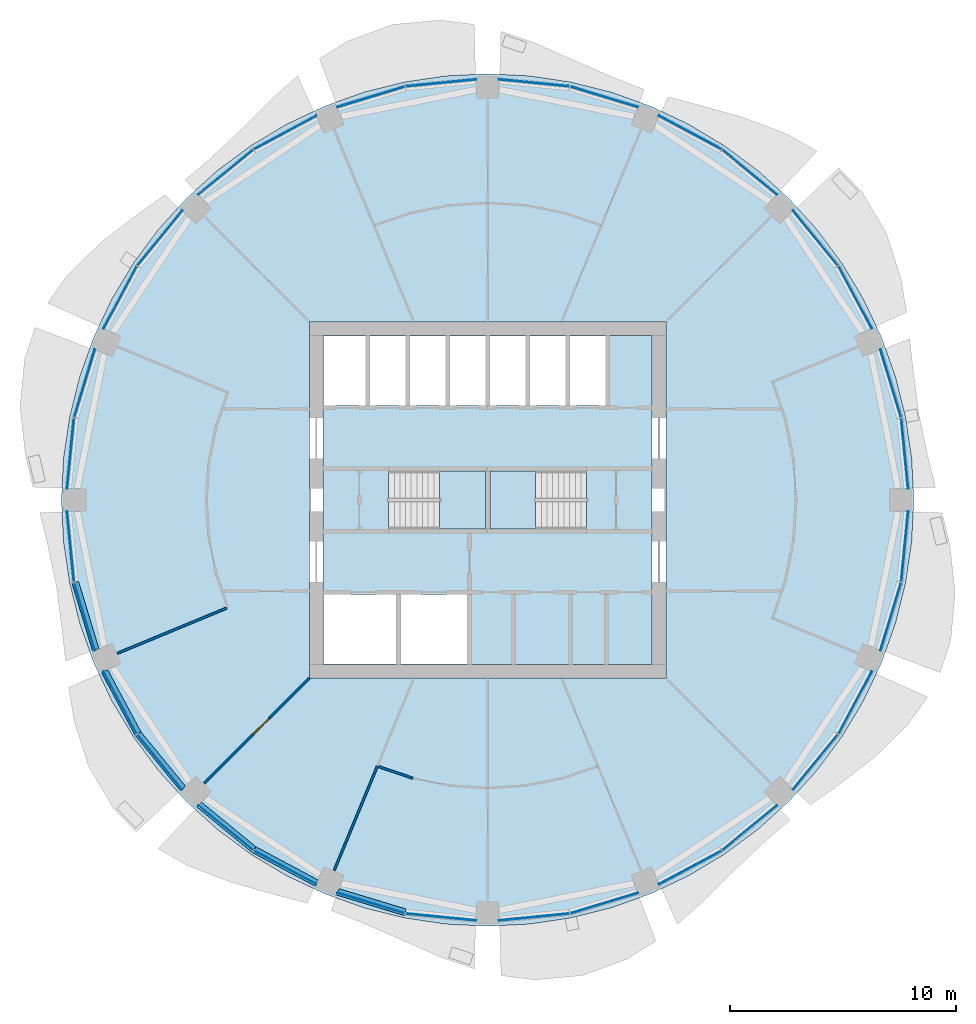
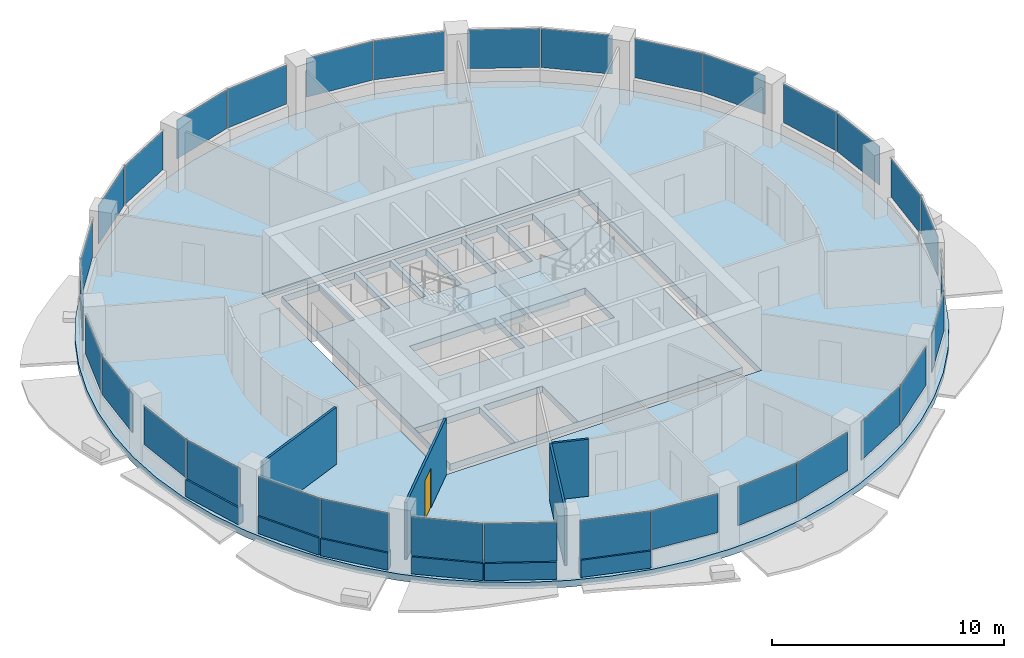
# One storey, part 7 of 15: 32 plates, 10 walls, 4 slabs, 1 door, 1 opening, 18 elements without a shape of their own.
"""IFC4 building model written with IfcOpenShell, lengths in metres."""

from ifc_helpers import new_model, si_unit, direction, frame, frame_2d, origin, origin_2d, place, context, subcontext, project, spatial, polyline, rectangle, outline, extrude, material, layer, layer_set, type_object, element, fill, aggregate, save


model = new_model("IFC4")

# Units and contexts
model_context = context("Model", 3, precision=1e-05, world=origin(), true_north=direction((0.0, 1.0)))
body_context = subcontext(model_context, "Body", "Model", "MODEL_VIEW")
ifc_project = project(units=[si_unit("LENGTHUNIT", "METRE"), si_unit("AREAUNIT", "SQUARE_METRE"), si_unit("VOLUMEUNIT", "CUBIC_METRE"), si_unit("PLANEANGLEUNIT", "RADIAN"), si_unit("MASSUNIT", "GRAM", prefix="KILO")], contexts=[model_context])

# Site, building, storey
site_placement = place(None, origin())
site = spatial("IfcSite", under=ifc_project, at=site_placement, CompositionType="ELEMENT")
building_placement = place(site_placement, origin())
building = spatial("IfcBuilding", under=site, at=building_placement, Name="Polderwave Tower", CompositionType="ELEMENT")
storey_placement = place(building_placement, frame((0.0, 0.0, 154.449951171875)))
storey = spatial("IfcBuildingStorey", under=building, at=storey_placement, Name="L41", CompositionType="ELEMENT", Elevation=154.449951171875)

# Slab
ifc_material_1 = material(Name="Concrete C40/50", Category="concrete")
ifc_layer_1 = layer(ifc_material_1, 0.35009765625)
ifc_layer_set_1 = layer_set([ifc_layer_1], Name="Core floor slab 350")
slab_type_1 = type_object("IfcSlabType", Name="Core floor slab 350", PredefinedType="FLOOR", material=ifc_layer_set_1)
slab_1_placement = place(storey_placement, frame((0.0, 0.0, -0.349853515625)))
element("IfcSlab", 1, at=slab_1_placement, inside=storey, type_object=slab_type_1, Name="L41 core floor", PredefinedType="FLOOR", context=body_context, shape_type="SweptSolid", body=[
    extrude(outline(polyline([(-7.27392578125, -7.27392578125), (7.27392578125, -7.27392578125), (7.27392578125, 7.27392578125), (-7.27392578125, 7.27392578125), (-7.27392578125, -7.27392578125)]), holes=[polyline([(-7.25390625, -7.25390625), (-4.037109375, -7.25390625), (-4.037109375, -4.174072265625), (-7.25390625, -4.174072265625), (-7.25390625, -7.25390625)]), polyline([(-3.8369140625, -7.25390625), (-0.89990234375, -7.25390625), (-0.89990234375, -4.174072265625), (-3.8369140625, -4.174072265625), (-3.8369140625, -7.25390625)]), polyline([(-7.25390625, 4.174072265625), (-5.405517578125, 4.174072265625), (-5.405517578125, 7.25390625), (-7.25390625, 7.25390625), (-7.25390625, 4.174072265625)]), polyline([(-5.20556640625, 4.174072265625), (-3.636962890625, 4.174072265625), (-3.636962890625, 7.25390625), (-5.20556640625, 7.25390625), (-5.20556640625, 4.174072265625)]), polyline([(-3.43701171875, 4.174072265625), (-1.868408203125, 4.174072265625), (-1.868408203125, 7.25390625), (-3.43701171875, 7.25390625), (-3.43701171875, 4.174072265625)]), polyline([(-1.66845703125, 4.174072265625), (-0.10009765625, 4.174072265625), (-0.10009765625, 7.25390625), (-1.66845703125, 7.25390625), (-1.66845703125, 4.174072265625)]), polyline([(0.10009765625, 4.174072265625), (1.66845703125, 4.174072265625), (1.66845703125, 7.25390625), (0.10009765625, 7.25390625), (0.10009765625, 4.174072265625)]), polyline([(1.868408203125, 4.174072265625), (3.43701171875, 4.174072265625), (3.43701171875, 7.25390625), (1.868408203125, 7.25390625), (1.868408203125, 4.174072265625)]), polyline([(3.636962890625, 4.174072265625), (5.20556640625, 4.174072265625), (5.20556640625, 7.25390625), (3.636962890625, 7.25390625), (3.636962890625, 4.174072265625)]), polyline([(-4.37353515625, -1.2744140625), (-0.1005859375, -1.2744140625), (-0.1005859375, 1.2744140625), (-4.37353515625, 1.2744140625), (-4.37353515625, -1.2744140625)]), polyline([(0.1005859375, -1.2744140625), (4.37353515625, -1.2744140625), (4.37353515625, 1.2744140625), (0.1005859375, 1.2744140625), (0.1005859375, -1.2744140625)])]), origin(), (0.0, 0.0, 1.0), 0.349853515625),
])

# Curtain wall, plates
ifc_material_2 = material(Name="Aluminium 6063-T6 and glass", Category="aluminium")
curtain_wall_type = type_object("IfcCurtainWallType", Name="Office ribbon glazing wall", PredefinedType="NOTDEFINED", material=ifc_material_2)
curtain_wall_1_placement = place(storey_placement, origin())
curtain_wall_1 = element("IfcCurtainWall", 2, at=curtain_wall_1_placement, inside=storey, type_object=curtain_wall_type, Name="CW3 L41 00", PredefinedType="NOTDEFINED")
ifc_material_3 = material(Name="Glass, low-e laminated double glazing", Category="glass")
ifc_layer_2 = layer(ifc_material_3, 0.031982421875)
ifc_layer_set_2 = layer_set([ifc_layer_2], Name="Office ribbon glazing glass panel 32 mm")
plate_type = type_object("IfcPlateType", Name="Office ribbon glazing glass panel 32 mm", PredefinedType="CURTAIN_PANEL", material=ifc_layer_set_2)
plate_1_placement = place(storey_placement, frame((18.427734375, 2.0537109375, 0.900146484375), z_axis=(0.0, 0.0, 1.0), x_axis=(-0.098090090917, 0.995177538967, 0.0)))
plate_1 = element("IfcPlate", 3, at=plate_1_placement, type_object=plate_type, Name="CW3 panel 1", PredefinedType="CURTAIN_PANEL", context=body_context, shape_type="SweptSolid", body=[
    extrude(rectangle(XDim=3.122802734375, YDim=0.031982421875, at=origin_2d()), origin(), (0.0, 0.0, 1.0), 2.0400390625),
])
plate_2_placement = place(storey_placement, frame((17.81103515625, 5.1552734375, 0.900146484375), z_axis=(0.0, 0.0, 1.0), x_axis=(-0.290201167351, 0.956965664205, 0.0)))
plate_2 = element("IfcPlate", 4, at=plate_2_placement, type_object=plate_type, Name="CW3 panel 2", PredefinedType="CURTAIN_PANEL", context=body_context, shape_type="SweptSolid", body=[
    extrude(rectangle(XDim=3.1220703125, YDim=0.031982421875, at=origin_2d()), origin(), (0.0, 0.0, 1.0), 2.0400390625),
])
aggregate(curtain_wall_1, [plate_1, plate_2])

curtain_wall_2_placement = place(storey_placement, origin())
curtain_wall_2 = element("IfcCurtainWall", 5, at=curtain_wall_2_placement, inside=storey, type_object=curtain_wall_type, Name="CW3 L41 01", PredefinedType="NOTDEFINED")
plate_3_placement = place(storey_placement, frame((16.239013671875, 8.948974609375, 0.900146484375), z_axis=(0.0, 0.0, 1.0), x_axis=(-0.471429060612, 0.881903986163, 0.0)))
plate_3 = element("IfcPlate", 6, at=plate_3_placement, type_object=plate_type, Name="CW3 panel 1", PredefinedType="CURTAIN_PANEL", context=body_context, shape_type="SweptSolid", body=[
    extrude(rectangle(XDim=3.12255859375, YDim=0.031982421875, at=origin_2d()), origin(), (0.0, 0.0, 1.0), 2.0400390625),
])
plate_4_placement = place(storey_placement, frame((14.482421875, 11.578125, 0.900146484375), z_axis=(0.0, 0.0, 1.0), x_axis=(-0.63432582386, 0.773065811677, 0.0)))
plate_4 = element("IfcPlate", 7, at=plate_4_placement, type_object=plate_type, Name="CW3 panel 2", PredefinedType="CURTAIN_PANEL", context=body_context, shape_type="SweptSolid", body=[
    extrude(rectangle(XDim=3.122314453125, YDim=0.031982421875, at=origin_2d()), origin(), (0.0, 0.0, 1.0), 2.0400390625),
])
aggregate(curtain_wall_2, [plate_3, plate_4])

curtain_wall_3_placement = place(storey_placement, origin())
curtain_wall_3 = element("IfcCurtainWall", 8, at=curtain_wall_3_placement, inside=storey, type_object=curtain_wall_type, Name="CW3 L41 02", PredefinedType="NOTDEFINED")
plate_5_placement = place(storey_placement, frame((11.578125, 14.482421875, 0.900146484375), z_axis=(0.0, 0.0, 1.0), x_axis=(-0.773065811677, 0.63432582386, 0.0)))
plate_5 = element("IfcPlate", 9, at=plate_5_placement, type_object=plate_type, Name="CW3 panel 1", PredefinedType="CURTAIN_PANEL", context=body_context, shape_type="SweptSolid", body=[
    extrude(rectangle(XDim=3.122314453125, YDim=0.031982421875, at=origin_2d()), origin(), (0.0, 0.0, 1.0), 2.0400390625),
])
plate_6_placement = place(storey_placement, frame((8.948974609375, 16.239013671875, 0.900146484375), z_axis=(0.0, 0.0, 1.0), x_axis=(-0.881903986163, 0.471429060612, 0.0)))
plate_6 = element("IfcPlate", 10, at=plate_6_placement, type_object=plate_type, Name="CW3 panel 2", PredefinedType="CURTAIN_PANEL", context=body_context, shape_type="SweptSolid", body=[
    extrude(rectangle(XDim=3.12255859375, YDim=0.031982421875, at=origin_2d()), origin(), (0.0, 0.0, 1.0), 2.0400390625),
])
aggregate(curtain_wall_3, [plate_5, plate_6])

curtain_wall_4_placement = place(storey_placement, origin())
curtain_wall_4 = element("IfcCurtainWall", 11, at=curtain_wall_4_placement, inside=storey, type_object=curtain_wall_type, Name="CW3 L41 03", PredefinedType="NOTDEFINED")
plate_7_placement = place(storey_placement, frame((5.1552734375, 17.81103515625, 0.900146484375), z_axis=(0.0, 0.0, 1.0), x_axis=(-0.956965664205, 0.290201167351, 0.0)))
plate_7 = element("IfcPlate", 12, at=plate_7_placement, type_object=plate_type, Name="CW3 panel 1", PredefinedType="CURTAIN_PANEL", context=body_context, shape_type="SweptSolid", body=[
    extrude(rectangle(XDim=3.1220703125, YDim=0.031982421875, at=origin_2d()), origin(), (0.0, 0.0, 1.0), 2.0400390625),
])
plate_8_placement = place(storey_placement, frame((2.0537109375, 18.427734375, 0.900146484375), z_axis=(0.0, 0.0, 1.0), x_axis=(-0.995177538967, 0.098090090917, 0.0)))
plate_8 = element("IfcPlate", 13, at=plate_8_placement, type_object=plate_type, Name="CW3 panel 2", PredefinedType="CURTAIN_PANEL", context=body_context, shape_type="SweptSolid", body=[
    extrude(rectangle(XDim=3.122802734375, YDim=0.031982421875, at=origin_2d()), origin(), (0.0, 0.0, 1.0), 2.0400390625),
])
aggregate(curtain_wall_4, [plate_7, plate_8])

curtain_wall_5_placement = place(storey_placement, origin())
curtain_wall_5 = element("IfcCurtainWall", 14, at=curtain_wall_5_placement, inside=storey, type_object=curtain_wall_type, Name="CW3 L41 04", PredefinedType="NOTDEFINED")
plate_9_placement = place(storey_placement, frame((-2.0537109375, 18.427734375, 0.900146484375), z_axis=(0.0, 0.0, 1.0), x_axis=(-0.995177538967, -0.098090090917, 0.0)))
plate_9 = element("IfcPlate", 15, at=plate_9_placement, type_object=plate_type, Name="CW3 panel 1", PredefinedType="CURTAIN_PANEL", context=body_context, shape_type="SweptSolid", body=[
    extrude(rectangle(XDim=3.122802734375, YDim=0.031982421875, at=origin_2d()), origin(), (0.0, 0.0, 1.0), 2.0400390625),
])
plate_10_placement = place(storey_placement, frame((-5.1552734375, 17.81103515625, 0.900146484375), z_axis=(0.0, 0.0, 1.0), x_axis=(-0.956965664205, -0.290201167351, 0.0)))
plate_10 = element("IfcPlate", 16, at=plate_10_placement, type_object=plate_type, Name="CW3 panel 2", PredefinedType="CURTAIN_PANEL", context=body_context, shape_type="SweptSolid", body=[
    extrude(rectangle(XDim=3.1220703125, YDim=0.031982421875, at=origin_2d()), origin(), (0.0, 0.0, 1.0), 2.0400390625),
])
aggregate(curtain_wall_5, [plate_9, plate_10])

curtain_wall_6_placement = place(storey_placement, origin())
curtain_wall_6 = element("IfcCurtainWall", 17, at=curtain_wall_6_placement, inside=storey, type_object=curtain_wall_type, Name="CW3 L41 05", PredefinedType="NOTDEFINED")
plate_11_placement = place(storey_placement, frame((-8.948974609375, 16.239013671875, 0.900146484375), z_axis=(0.0, 0.0, 1.0), x_axis=(-0.881903986163, -0.471429060612, 0.0)))
plate_11 = element("IfcPlate", 18, at=plate_11_placement, type_object=plate_type, Name="CW3 panel 1", PredefinedType="CURTAIN_PANEL", context=body_context, shape_type="SweptSolid", body=[
    extrude(rectangle(XDim=3.12255859375, YDim=0.031982421875, at=origin_2d()), origin(), (0.0, 0.0, 1.0), 2.0400390625),
])
plate_12_placement = place(storey_placement, frame((-11.578125, 14.482421875, 0.900146484375), z_axis=(0.0, 0.0, 1.0), x_axis=(-0.773065811677, -0.63432582386, 0.0)))
plate_12 = element("IfcPlate", 19, at=plate_12_placement, type_object=plate_type, Name="CW3 panel 2", PredefinedType="CURTAIN_PANEL", context=body_context, shape_type="SweptSolid", body=[
    extrude(rectangle(XDim=3.122314453125, YDim=0.031982421875, at=origin_2d()), origin(), (0.0, 0.0, 1.0), 2.0400390625),
])
aggregate(curtain_wall_6, [plate_11, plate_12])

curtain_wall_7_placement = place(storey_placement, origin())
curtain_wall_7 = element("IfcCurtainWall", 20, at=curtain_wall_7_placement, inside=storey, type_object=curtain_wall_type, Name="CW3 L41 06", PredefinedType="NOTDEFINED")
plate_13_placement = place(storey_placement, frame((-14.482421875, 11.578125, 0.900146484375), z_axis=(0.0, 0.0, 1.0), x_axis=(-0.63432582386, -0.773065811677, 0.0)))
plate_13 = element("IfcPlate", 21, at=plate_13_placement, type_object=plate_type, Name="CW3 panel 1", PredefinedType="CURTAIN_PANEL", context=body_context, shape_type="SweptSolid", body=[
    extrude(rectangle(XDim=3.122314453125, YDim=0.031982421875, at=origin_2d()), origin(), (0.0, 0.0, 1.0), 2.0400390625),
])
plate_14_placement = place(storey_placement, frame((-16.239013671875, 8.948974609375, 0.900146484375), z_axis=(0.0, 0.0, 1.0), x_axis=(-0.471429060612, -0.881903986163, 0.0)))
plate_14 = element("IfcPlate", 22, at=plate_14_placement, type_object=plate_type, Name="CW3 panel 2", PredefinedType="CURTAIN_PANEL", context=body_context, shape_type="SweptSolid", body=[
    extrude(rectangle(XDim=3.12255859375, YDim=0.031982421875, at=origin_2d()), origin(), (0.0, 0.0, 1.0), 2.0400390625),
])
aggregate(curtain_wall_7, [plate_13, plate_14])

curtain_wall_8_placement = place(storey_placement, origin())
curtain_wall_8 = element("IfcCurtainWall", 23, at=curtain_wall_8_placement, inside=storey, type_object=curtain_wall_type, Name="CW3 L41 07", PredefinedType="NOTDEFINED")
plate_15_placement = place(storey_placement, frame((-17.81103515625, 5.1552734375, 0.900146484375), z_axis=(0.0, 0.0, 1.0), x_axis=(-0.290201167351, -0.956965664205, 0.0)))
plate_15 = element("IfcPlate", 24, at=plate_15_placement, type_object=plate_type, Name="CW3 panel 1", PredefinedType="CURTAIN_PANEL", context=body_context, shape_type="SweptSolid", body=[
    extrude(rectangle(XDim=3.1220703125, YDim=0.031982421875, at=origin_2d()), origin(), (0.0, 0.0, 1.0), 2.0400390625),
])
plate_16_placement = place(storey_placement, frame((-18.427734375, 2.0537109375, 0.900146484375), z_axis=(0.0, 0.0, 1.0), x_axis=(-0.098090090917, -0.995177538967, 0.0)))
plate_16 = element("IfcPlate", 25, at=plate_16_placement, type_object=plate_type, Name="CW3 panel 2", PredefinedType="CURTAIN_PANEL", context=body_context, shape_type="SweptSolid", body=[
    extrude(rectangle(XDim=3.122802734375, YDim=0.031982421875, at=origin_2d()), origin(), (0.0, 0.0, 1.0), 2.0400390625),
])
aggregate(curtain_wall_8, [plate_15, plate_16])

curtain_wall_9_placement = place(storey_placement, origin())
curtain_wall_9 = element("IfcCurtainWall", 26, at=curtain_wall_9_placement, inside=storey, type_object=curtain_wall_type, Name="CW3 L41 08", PredefinedType="NOTDEFINED")
plate_17_placement = place(storey_placement, frame((-18.427734375, -2.0537109375, 0.900146484375), z_axis=(0.0, 0.0, 1.0), x_axis=(0.098090090917, -0.995177538967, 0.0)))
plate_17 = element("IfcPlate", 27, at=plate_17_placement, type_object=plate_type, Name="CW3 panel 1", PredefinedType="CURTAIN_PANEL", context=body_context, shape_type="SweptSolid", body=[
    extrude(rectangle(XDim=3.122802734375, YDim=0.031982421875, at=origin_2d()), origin(), (0.0, 0.0, 1.0), 2.0400390625),
])
plate_18_placement = place(storey_placement, frame((-17.81103515625, -5.1552734375, 0.900146484375), z_axis=(0.0, 0.0, 1.0), x_axis=(0.290201167351, -0.956965664205, 0.0)))
plate_18 = element("IfcPlate", 28, at=plate_18_placement, type_object=plate_type, Name="CW3 panel 2", PredefinedType="CURTAIN_PANEL", context=body_context, shape_type="SweptSolid", body=[
    extrude(rectangle(XDim=3.1220703125, YDim=0.031982421875, at=origin_2d()), origin(), (0.0, 0.0, 1.0), 2.0400390625),
])
aggregate(curtain_wall_9, [plate_17, plate_18])

curtain_wall_10_placement = place(storey_placement, origin())
curtain_wall_10 = element("IfcCurtainWall", 29, at=curtain_wall_10_placement, inside=storey, type_object=curtain_wall_type, Name="CW3 L41 09", PredefinedType="NOTDEFINED")
plate_19_placement = place(storey_placement, frame((-16.239013671875, -8.948974609375, 0.900146484375), z_axis=(0.0, 0.0, 1.0), x_axis=(0.471429060612, -0.881903986163, 0.0)))
plate_19 = element("IfcPlate", 30, at=plate_19_placement, type_object=plate_type, Name="CW3 panel 1", PredefinedType="CURTAIN_PANEL", context=body_context, shape_type="SweptSolid", body=[
    extrude(rectangle(XDim=3.12255859375, YDim=0.031982421875, at=origin_2d()), origin(), (0.0, 0.0, 1.0), 2.0400390625),
])
plate_20_placement = place(storey_placement, frame((-14.482421875, -11.578125, 0.900146484375), z_axis=(0.0, 0.0, 1.0), x_axis=(0.63432582386, -0.773065811677, 0.0)))
plate_20 = element("IfcPlate", 31, at=plate_20_placement, type_object=plate_type, Name="CW3 panel 2", PredefinedType="CURTAIN_PANEL", context=body_context, shape_type="SweptSolid", body=[
    extrude(rectangle(XDim=3.122314453125, YDim=0.031982421875, at=origin_2d()), origin(), (0.0, 0.0, 1.0), 2.0400390625),
])
aggregate(curtain_wall_10, [plate_19, plate_20])

curtain_wall_11_placement = place(storey_placement, origin())
curtain_wall_11 = element("IfcCurtainWall", 32, at=curtain_wall_11_placement, inside=storey, type_object=curtain_wall_type, Name="CW3 L41 10", PredefinedType="NOTDEFINED")
plate_21_placement = place(storey_placement, frame((-11.578125, -14.482421875, 0.900146484375), z_axis=(0.0, 0.0, 1.0), x_axis=(0.773065811677, -0.63432582386, 0.0)))
plate_21 = element("IfcPlate", 33, at=plate_21_placement, type_object=plate_type, Name="CW3 panel 1", PredefinedType="CURTAIN_PANEL", context=body_context, shape_type="SweptSolid", body=[
    extrude(rectangle(XDim=3.122314453125, YDim=0.031982421875, at=origin_2d()), origin(), (0.0, 0.0, 1.0), 2.0400390625),
])
plate_22_placement = place(storey_placement, frame((-8.948974609375, -16.239013671875, 0.900146484375), z_axis=(0.0, 0.0, 1.0), x_axis=(0.881903986163, -0.471429060612, 0.0)))
plate_22 = element("IfcPlate", 34, at=plate_22_placement, type_object=plate_type, Name="CW3 panel 2", PredefinedType="CURTAIN_PANEL", context=body_context, shape_type="SweptSolid", body=[
    extrude(rectangle(XDim=3.12255859375, YDim=0.031982421875, at=origin_2d()), origin(), (0.0, 0.0, 1.0), 2.0400390625),
])
aggregate(curtain_wall_11, [plate_21, plate_22])

curtain_wall_12_placement = place(storey_placement, origin())
curtain_wall_12 = element("IfcCurtainWall", 35, at=curtain_wall_12_placement, inside=storey, type_object=curtain_wall_type, Name="CW3 L41 11", PredefinedType="NOTDEFINED")
plate_23_placement = place(storey_placement, frame((-5.1552734375, -17.81103515625, 0.900146484375), z_axis=(0.0, 0.0, 1.0), x_axis=(0.956965664205, -0.290201167351, 0.0)))
plate_23 = element("IfcPlate", 36, at=plate_23_placement, type_object=plate_type, Name="CW3 panel 1", PredefinedType="CURTAIN_PANEL", context=body_context, shape_type="SweptSolid", body=[
    extrude(rectangle(XDim=3.1220703125, YDim=0.031982421875, at=origin_2d()), origin(), (0.0, 0.0, 1.0), 2.0400390625),
])
plate_24_placement = place(storey_placement, frame((-2.0537109375, -18.427734375, 0.900146484375), z_axis=(0.0, 0.0, 1.0), x_axis=(0.995177538967, -0.098090090917, 0.0)))
plate_24 = element("IfcPlate", 37, at=plate_24_placement, type_object=plate_type, Name="CW3 panel 2", PredefinedType="CURTAIN_PANEL", context=body_context, shape_type="SweptSolid", body=[
    extrude(rectangle(XDim=3.122802734375, YDim=0.031982421875, at=origin_2d()), origin(), (0.0, 0.0, 1.0), 2.0400390625),
])
aggregate(curtain_wall_12, [plate_23, plate_24])

curtain_wall_13_placement = place(storey_placement, origin())
curtain_wall_13 = element("IfcCurtainWall", 38, at=curtain_wall_13_placement, inside=storey, type_object=curtain_wall_type, Name="CW3 L41 12", PredefinedType="NOTDEFINED")
plate_25_placement = place(storey_placement, frame((2.0537109375, -18.427734375, 0.900146484375), z_axis=(0.0, 0.0, 1.0), x_axis=(0.995177538967, 0.098090090917, 0.0)))
plate_25 = element("IfcPlate", 39, at=plate_25_placement, type_object=plate_type, Name="CW3 panel 1", PredefinedType="CURTAIN_PANEL", context=body_context, shape_type="SweptSolid", body=[
    extrude(rectangle(XDim=3.122802734375, YDim=0.031982421875, at=origin_2d()), origin(), (0.0, 0.0, 1.0), 2.0400390625),
])
plate_26_placement = place(storey_placement, frame((5.1552734375, -17.81103515625, 0.900146484375), z_axis=(0.0, 0.0, 1.0), x_axis=(0.956965664205, 0.290201167351, 0.0)))
plate_26 = element("IfcPlate", 40, at=plate_26_placement, type_object=plate_type, Name="CW3 panel 2", PredefinedType="CURTAIN_PANEL", context=body_context, shape_type="SweptSolid", body=[
    extrude(rectangle(XDim=3.1220703125, YDim=0.031982421875, at=origin_2d()), origin(), (0.0, 0.0, 1.0), 2.0400390625),
])
aggregate(curtain_wall_13, [plate_25, plate_26])

curtain_wall_14_placement = place(storey_placement, origin())
curtain_wall_14 = element("IfcCurtainWall", 41, at=curtain_wall_14_placement, inside=storey, type_object=curtain_wall_type, Name="CW3 L41 13", PredefinedType="NOTDEFINED")
plate_27_placement = place(storey_placement, frame((8.948974609375, -16.239013671875, 0.900146484375), z_axis=(0.0, 0.0, 1.0), x_axis=(0.881903986163, 0.471429060612, 0.0)))
plate_27 = element("IfcPlate", 42, at=plate_27_placement, type_object=plate_type, Name="CW3 panel 1", PredefinedType="CURTAIN_PANEL", context=body_context, shape_type="SweptSolid", body=[
    extrude(rectangle(XDim=3.12255859375, YDim=0.031982421875, at=origin_2d()), origin(), (0.0, 0.0, 1.0), 2.0400390625),
])
plate_28_placement = place(storey_placement, frame((11.578125, -14.482421875, 0.900146484375), z_axis=(0.0, 0.0, 1.0), x_axis=(0.773065811677, 0.63432582386, 0.0)))
plate_28 = element("IfcPlate", 43, at=plate_28_placement, type_object=plate_type, Name="CW3 panel 2", PredefinedType="CURTAIN_PANEL", context=body_context, shape_type="SweptSolid", body=[
    extrude(rectangle(XDim=3.122314453125, YDim=0.031982421875, at=origin_2d()), origin(), (0.0, 0.0, 1.0), 2.0400390625),
])
aggregate(curtain_wall_14, [plate_27, plate_28])

curtain_wall_15_placement = place(storey_placement, origin())
curtain_wall_15 = element("IfcCurtainWall", 44, at=curtain_wall_15_placement, inside=storey, type_object=curtain_wall_type, Name="CW3 L41 14", PredefinedType="NOTDEFINED")
plate_29_placement = place(storey_placement, frame((14.482421875, -11.578125, 0.900146484375), z_axis=(0.0, 0.0, 1.0), x_axis=(0.63432582386, 0.773065811677, 0.0)))
plate_29 = element("IfcPlate", 45, at=plate_29_placement, type_object=plate_type, Name="CW3 panel 1", PredefinedType="CURTAIN_PANEL", context=body_context, shape_type="SweptSolid", body=[
    extrude(rectangle(XDim=3.122314453125, YDim=0.031982421875, at=origin_2d()), origin(), (0.0, 0.0, 1.0), 2.0400390625),
])
plate_30_placement = place(storey_placement, frame((16.239013671875, -8.948974609375, 0.900146484375), z_axis=(0.0, 0.0, 1.0), x_axis=(0.471429060612, 0.881903986163, 0.0)))
plate_30 = element("IfcPlate", 46, at=plate_30_placement, type_object=plate_type, Name="CW3 panel 2", PredefinedType="CURTAIN_PANEL", context=body_context, shape_type="SweptSolid", body=[
    extrude(rectangle(XDim=3.12255859375, YDim=0.031982421875, at=origin_2d()), origin(), (0.0, 0.0, 1.0), 2.0400390625),
])
aggregate(curtain_wall_15, [plate_29, plate_30])

curtain_wall_16_placement = place(storey_placement, origin())
curtain_wall_16 = element("IfcCurtainWall", 47, at=curtain_wall_16_placement, inside=storey, type_object=curtain_wall_type, Name="CW3 L41 15", PredefinedType="NOTDEFINED")
plate_31_placement = place(storey_placement, frame((17.81103515625, -5.1552734375, 0.900146484375), z_axis=(0.0, 0.0, 1.0), x_axis=(0.290201167351, 0.956965664205, 0.0)))
plate_31 = element("IfcPlate", 48, at=plate_31_placement, type_object=plate_type, Name="CW3 panel 1", PredefinedType="CURTAIN_PANEL", context=body_context, shape_type="SweptSolid", body=[
    extrude(rectangle(XDim=3.1220703125, YDim=0.031982421875, at=origin_2d()), origin(), (0.0, 0.0, 1.0), 2.0400390625),
])
plate_32_placement = place(storey_placement, frame((18.427734375, -2.0537109375, 0.900146484375), z_axis=(0.0, 0.0, 1.0), x_axis=(0.098090090917, 0.995177538967, 0.0)))
plate_32 = element("IfcPlate", 49, at=plate_32_placement, type_object=plate_type, Name="CW3 panel 2", PredefinedType="CURTAIN_PANEL", context=body_context, shape_type="SweptSolid", body=[
    extrude(rectangle(XDim=3.122802734375, YDim=0.031982421875, at=origin_2d()), origin(), (0.0, 0.0, 1.0), 2.0400390625),
])
aggregate(curtain_wall_16, [plate_31, plate_32])

# Slab
ifc_layer_3 = layer(ifc_material_1, 0.35009765625)
ifc_layer_set_3 = layer_set([ifc_layer_3], Name="PT FLOOR SLAB 350 C40/50")
slab_type_2 = type_object("IfcSlabType", Name="PT FLOOR SLAB 350 C40/50", PredefinedType="FLOOR", material=ifc_layer_set_3)
slab_2_placement = place(storey_placement, frame((0.0, 0.0, -0.349853515625)))
element("IfcSlab", 50, at=slab_2_placement, inside=storey, type_object=slab_type_2, Name="ST-SLAB-L41", PredefinedType="FLOOR", context=body_context, shape_type="SweptSolid", body=[
    extrude(outline(polyline([(18.830078125, 0.0), (18.7392578125, 1.845703125), (18.46826171875, 3.673583984375), (18.019287109375, 5.466064453125), (17.396728515625, 7.205810546875), (16.606689453125, 8.87646484375), (15.656494140625, 10.46142578125), (14.555908203125, 11.945556640625), (13.314697265625, 13.314697265625), (11.945556640625, 14.555908203125), (10.46142578125, 15.656494140625), (8.87646484375, 16.606689453125), (7.205810546875, 17.396728515625), (5.466064453125, 18.019287109375), (3.673583984375, 18.46826171875), (1.845703125, 18.7392578125), (0.0, 18.830078125), (-1.845703125, 18.7392578125), (-3.673583984375, 18.46826171875), (-5.466064453125, 18.019287109375), (-7.205810546875, 17.396728515625), (-8.87646484375, 16.606689453125), (-10.46142578125, 15.656494140625), (-11.945556640625, 14.555908203125), (-13.314697265625, 13.314697265625), (-14.555908203125, 11.945556640625), (-15.656494140625, 10.46142578125), (-16.606689453125, 8.87646484375), (-17.396728515625, 7.205810546875), (-18.019287109375, 5.466064453125), (-18.46826171875, 3.673583984375), (-18.7392578125, 1.845703125), (-18.830078125, 0.0), (-18.7392578125, -1.845703125), (-18.46826171875, -3.673583984375), (-18.019287109375, -5.466064453125), (-17.396728515625, -7.205810546875), (-16.606689453125, -8.87646484375), (-15.656494140625, -10.46142578125), (-14.555908203125, -11.945556640625), (-13.314697265625, -13.314697265625), (-11.945556640625, -14.555908203125), (-10.46142578125, -15.656494140625), (-8.87646484375, -16.606689453125), (-7.205810546875, -17.396728515625), (-5.466064453125, -18.019287109375), (-3.673583984375, -18.46826171875), (-1.845703125, -18.7392578125), (0.0, -18.830078125), (1.845703125, -18.7392578125), (3.673583984375, -18.46826171875), (5.466064453125, -18.019287109375), (7.205810546875, -17.396728515625), (8.87646484375, -16.606689453125), (10.46142578125, -15.656494140625), (11.945556640625, -14.555908203125), (13.314697265625, -13.314697265625), (14.555908203125, -11.945556640625), (15.656494140625, -10.46142578125), (16.606689453125, -8.87646484375), (17.396728515625, -7.205810546875), (18.019287109375, -5.466064453125), (18.46826171875, -3.673583984375), (18.7392578125, -1.845703125), (18.830078125, 0.0)]), holes=[polyline([(-7.8740234375, -7.8740234375), (7.8740234375, -7.8740234375), (7.8740234375, 7.8740234375), (-7.8740234375, 7.8740234375), (-7.8740234375, -7.8740234375)])]), origin(), (0.0, 0.0, 1.0), 0.349853515625),
])

# Stair, slab
stair_type = type_object("IfcStairType", Name="Exit stair 1200 x 20 risers", PredefinedType="HALF_TURN_STAIR", material=ifc_material_1)
stair_1_placement = place(storey_placement, origin())
stair_1 = element("IfcStair", 51, at=stair_1_placement, inside=storey, type_object=stair_type, Name="L41 Exit stair A", PredefinedType="HALF_TURN_STAIR")
ifc_layer_4 = layer(ifc_material_1, 0.300048828125)
ifc_layer_set_4 = layer_set([ifc_layer_4], Name="Stair landing 300")
slab_type_3 = type_object("IfcSlabType", Name="Stair landing 300", PredefinedType="LANDING", material=ifc_layer_set_4)
slab_3_placement = place(storey_placement, frame((0.0, 0.0, 1.375)))
slab_3 = element("IfcSlab", 52, at=slab_3_placement, type_object=slab_type_3, Name="ST-A landing 1", PredefinedType="LANDING", context=body_context, shape_type="SweptSolid", body=[
    extrude(outline(polyline([(-2.1240234375, -1.27490234375), (-0.10009765625, -1.27490234375), (-0.10009765625, 1.27490234375), (-2.1240234375, 1.27490234375), (-2.1240234375, -1.27490234375)])), origin(), (0.0, 0.0, 1.0), 0.300048828125),
])
aggregate(stair_1, [slab_3])

stair_2_placement = place(storey_placement, origin())
stair_2 = element("IfcStair", 53, at=stair_2_placement, inside=storey, type_object=stair_type, Name="L41 Exit stair B", PredefinedType="HALF_TURN_STAIR")
slab_4_placement = place(storey_placement, frame((0.0, 0.0, 1.375)))
slab_4 = element("IfcSlab", 54, at=slab_4_placement, type_object=slab_type_3, Name="ST-B landing 1", PredefinedType="LANDING", context=body_context, shape_type="SweptSolid", body=[
    extrude(outline(polyline([(2.1240234375, 1.27490234375), (0.10009765625, 1.27490234375), (0.10009765625, -1.27490234375), (2.1240234375, -1.27490234375), (2.1240234375, 1.27490234375)])), origin(), (0.0, 0.0, 1.0), 0.300048828125),
])
aggregate(stair_2, [slab_4])

# Walls
ifc_material_4 = material(Name="Concrete C50/60 (board-marked)", Category="concrete")
ifc_layer_5 = layer(ifc_material_4, 0.300048828125)
ifc_layer_set_5 = layer_set([ifc_layer_5], Name="Concrete spandrel upstand C50/60")
wall_type_1 = type_object("IfcWallType", Name="Concrete spandrel upstand C50/60", PredefinedType="SOLIDWALL", material=ifc_layer_set_5)
wall_1_placement = place(storey_placement, frame((-18.218505859375, -3.639404296875, 0.0), z_axis=(0.0, 0.0, 1.0), x_axis=(0.29026219948, -0.956947154002, 0.0)))
element("IfcWall", 55, at=wall_1_placement, inside=storey, type_object=wall_type_1, Name="Spandrel L41 9b", PredefinedType="SOLIDWALL", context=body_context, shape_type="SweptSolid", body=[
    extrude(rectangle(XDim=3.111328125, YDim=0.300048828125, at=frame_2d((1.5556640625, 0.0))), origin(), (0.0, 0.0, 1.0), 0.900146484375),
])
wall_2_placement = place(storey_placement, frame((-16.921875, -7.565185546875, 0.0), z_axis=(0.0, 0.0, 1.0), x_axis=(0.471467771589, -0.881883291798, 0.0)))
element("IfcWall", 56, at=wall_2_placement, inside=storey, type_object=wall_type_1, Name="Spandrel L41 10a", PredefinedType="SOLIDWALL", context=body_context, shape_type="SweptSolid", body=[
    extrude(rectangle(XDim=3.111083984375, YDim=0.300048828125, at=frame_2d((1.5556640625, 0.0))), origin(), (0.0, 0.0, 1.0), 0.900146484375),
])
for number, where, z_axis, x_axis, name in (
    (57, (-15.4384765625, -10.33349609375, 0.0), (0.0, 0.0, 1.0), (0.634074896441, -0.773271637721, 0.0), "Spandrel L41 10b"),
    (58, (-12.739501953125, -13.465576171875, 0.0), (0.0, 0.0, 1.0), (0.773271637721, -0.634074896441, 0.0), "Spandrel L41 11a"),
):
    element("IfcWall", number, at=place(storey_placement, frame(where, z_axis=z_axis, x_axis=x_axis)), inside=storey, type_object=wall_type_1, Name=name, PredefinedType="SOLIDWALL", context=body_context, shape_type="SweptSolid", body=[
        extrude(rectangle(XDim=3.111572265625, YDim=0.300048828125, at=frame_2d((1.5556640625, 0.0))), origin(), (0.0, 0.0, 1.0), 0.900146484375),
    ])
wall_3_placement = place(storey_placement, frame((-10.308837890625, -15.455078125, 0.0), z_axis=(0.0, 0.0, 1.0), x_axis=(0.881883291798, -0.471467771589, 0.0)))
element("IfcWall", 59, at=wall_3_placement, inside=storey, type_object=wall_type_1, Name="Spandrel L41 11b", PredefinedType="SOLIDWALL", context=body_context, shape_type="SweptSolid", body=[
    extrude(rectangle(XDim=3.111083984375, YDim=0.300048828125, at=frame_2d((1.5556640625, 0.0))), origin(), (0.0, 0.0, 1.0), 0.900146484375),
])
wall_4_placement = place(storey_placement, frame((-6.61669921875, -17.3154296875, 0.0), z_axis=(0.0, 0.0, 1.0), x_axis=(0.956947154002, -0.29026219948, 0.0)))
element("IfcWall", 60, at=wall_4_placement, inside=storey, type_object=wall_type_1, Name="Spandrel L41 12a", PredefinedType="SOLIDWALL", context=body_context, shape_type="SweptSolid", body=[
    extrude(rectangle(XDim=3.111328125, YDim=0.300048828125, at=frame_2d((1.5556640625, 0.0))), origin(), (0.0, 0.0, 1.0), 0.900146484375),
])

# Wall, opening, door
ifc_material_5 = material(Name="Moisture-resistant board on steel studs, tiled", Category="steel")
ifc_layer_6 = layer(ifc_material_5, 0.10498046875)
ifc_layer_set_6 = layer_set([ifc_layer_6], Name="Partition 105 mm wet room board and tile")
wall_type_2 = type_object("IfcWallType", Name="Partition 105 mm wet room board and tile", PredefinedType="PARTITIONING", material=ifc_layer_set_6)
wall_5_placement = place(storey_placement, frame((-7.8740234375, -7.8740234375, 0.0), z_axis=(0.0, 0.0, 1.0), x_axis=(-0.707106781187, -0.707106781187, 0.0)))
wall_5 = element("IfcWall", 61, at=wall_5_placement, inside=storey, type_object=wall_type_2, Name="IN-L41-W039", PredefinedType="PARTITIONING", context=body_context, shape_type="SweptSolid", body=[
    extrude(rectangle(XDim=6.564453125, YDim=0.10498046875, at=frame_2d((3.2822265625, 0.0))), origin(), (0.0, 0.0, 1.0), 3.0),
])
opening_placement = place(wall_5_placement, frame((2.5, 0.0, 0.0)))
opening = element("IfcOpeningElement", 62, at=opening_placement, cuts=wall_5, Name="Opening L41-D62", PredefinedType="OPENING", context=body_context, shape_type="SweptSolid", body=[
    extrude(rectangle(XDim=1.0, YDim=2.10009765625, at=frame_2d((0.5, 1.050048828125))), frame((0.0, 0.0625, 0.0), z_axis=(0.0, -1.0, 0.0), x_axis=(1.0, 0.0, 0.0)), (0.0, 0.0, 1.0), 0.125),
])
ifc_material_6 = material(Name="Timber veneer door leaf", Category="wood")
door_type = type_object("IfcDoorType", Name="Single door 1000 x 2100", OperationType="NOTDEFINED", PredefinedType="DOOR", material=ifc_material_6)
door_placement = place(opening_placement, origin())
door = element("IfcDoor", 63, at=door_placement, inside=storey, type_object=door_type, Name="Door L41-D62", OperationType="SINGLE_SWING_LEFT", OverallHeight=2.10009765625, OverallWidth=1.0, PredefinedType="DOOR", context=body_context, shape_type="SweptSolid", body=[
    extrude(rectangle(XDim=1.0, YDim=2.10009765625, at=frame_2d((0.5, 1.050048828125))), frame((0.0, 0.02490234375, 0.0), z_axis=(0.0, -1.0, 0.0), x_axis=(1.0, 0.0, 0.0)), (0.0, 0.0, 1.0), 0.050048828125),
])
fill(opening, door)

# Walls
wall_6_placement = place(storey_placement, frame((-4.87158203125, -11.760986328125, 0.0), z_axis=(0.0, 0.0, 1.0), x_axis=(-0.38266126553, -0.923888714003, 0.0)))
element("IfcWall", 64, at=wall_6_placement, inside=storey, type_object=wall_type_2, Name="IN-L41-W041", PredefinedType="PARTITIONING", context=body_context, shape_type="SweptSolid", body=[
    extrude(rectangle(XDim=4.969970703125, YDim=0.10498046875, at=frame_2d((2.48486328125, 0.0))), origin(), (0.0, 0.0, 1.0), 3.0),
])
wall_7_placement = place(storey_placement, frame((-3.298095703125, -12.295166015625, 0.0), z_axis=(0.0, 0.0, 1.0), x_axis=(-0.946935734923, 0.321422951771, 0.0)))
element("IfcWall", 65, at=wall_7_placement, inside=storey, type_object=wall_type_2, Name="IN-L41-W042", PredefinedType="PARTITIONING", context=body_context, shape_type="SweptSolid", body=[
    extrude(rectangle(XDim=1.605712890625, YDim=0.10498046875, at=frame_2d((0.802734375, 0.0))), origin(), (0.0, 0.0, 1.0), 3.0),
])
ifc_material_7 = material(Name="Acoustic double plasterboard on steel studs", Category="steel")
ifc_layer_7 = layer(ifc_material_7, 0.110107421875)
ifc_layer_set_7 = layer_set([ifc_layer_7], Name="Partition 110 mm acoustic double board")
wall_type_3 = type_object("IfcWallType", Name="Partition 110 mm acoustic double board", PredefinedType="PARTITIONING", material=ifc_layer_set_7)
wall_8_placement = place(storey_placement, frame((-11.5380859375, -4.779296875, 0.0), z_axis=(0.0, 0.0, 1.0), x_axis=(-0.923891220199, -0.382655214572, 0.0)))
element("IfcWall", 66, at=wall_8_placement, inside=storey, type_object=wall_type_3, Name="IN-L41-W038", PredefinedType="PARTITIONING", context=body_context, shape_type="SweptSolid", body=[
    extrude(rectangle(XDim=5.21142578125, YDim=0.110107421875, at=frame_2d((2.605712890625, 0.0))), origin(), (0.0, 0.0, 1.0), 3.0),
])

save(model, "model.ifc")
